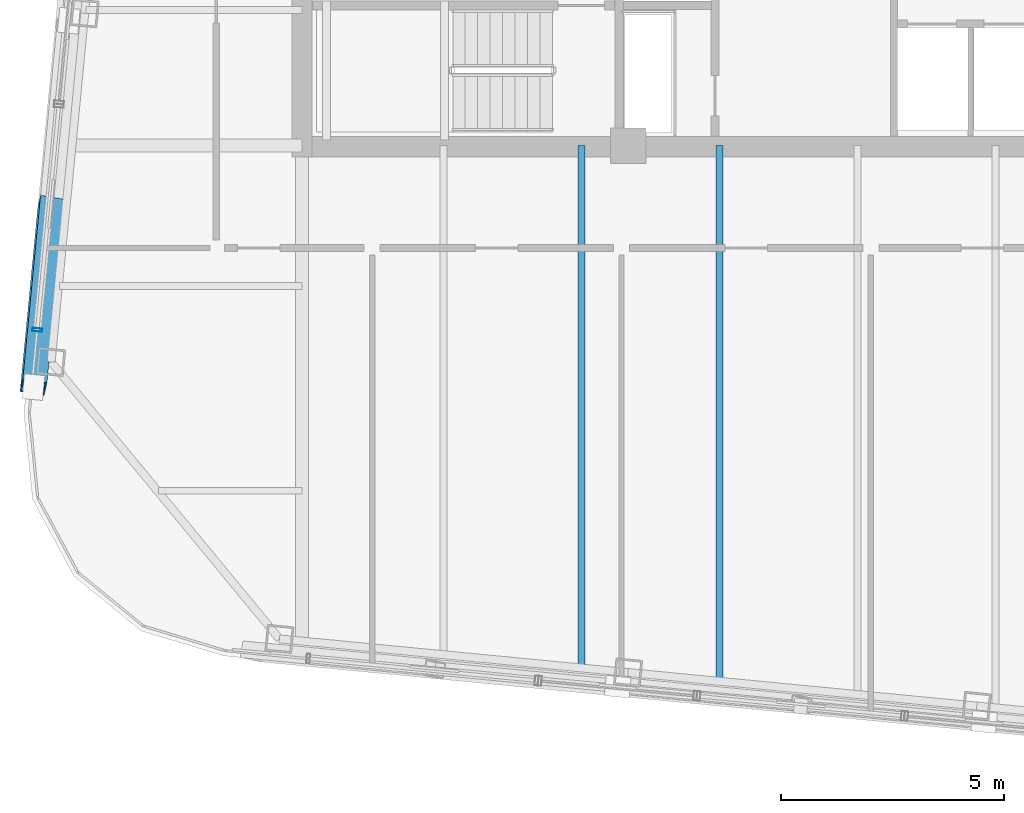
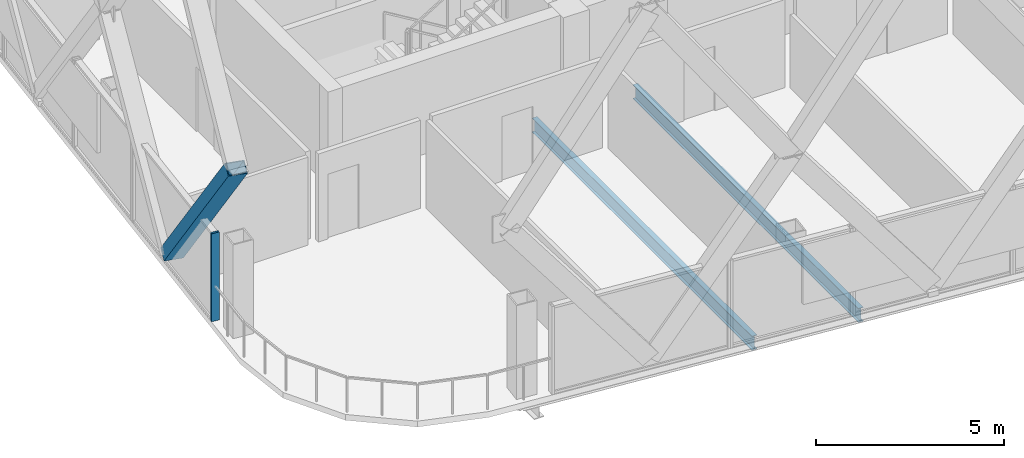
# One storey, part 3 of 25: 2 beams, 2 members, 1 element without a shape of its own.
"""IFC4 building model written with IfcOpenShell, lengths in metres."""

from ifc_helpers import new_model, si_unit, direction, frame, origin, origin_2d, place, context, subcontext, project, spatial, hollow_rectangle, i_section, extrude, material, layer, layer_set, material_profile, profile_set, type_object, element, aggregate, save


model = new_model("IFC4")

# Units and contexts
model_context = context("Model", 3, precision=1e-05, world=origin(), true_north=direction((0.0, 1.0)))
body_context = subcontext(model_context, "Body", "Model", "MODEL_VIEW")
ifc_project = project(units=[si_unit("LENGTHUNIT", "METRE"), si_unit("AREAUNIT", "SQUARE_METRE"), si_unit("VOLUMEUNIT", "CUBIC_METRE"), si_unit("PLANEANGLEUNIT", "RADIAN"), si_unit("MASSUNIT", "GRAM", prefix="KILO")], contexts=[model_context])

# Site, building, storey
site_placement = place(None, origin())
site = spatial("IfcSite", under=ifc_project, at=site_placement, CompositionType="ELEMENT")
building_placement = place(site_placement, origin())
building = spatial("IfcBuilding", under=site, at=building_placement, Name="Qhalaya Broadcast Tower", CompositionType="ELEMENT")
storey_placement = place(building_placement, frame((0.0, 0.0, 255.050048828125)))
storey = spatial("IfcBuildingStorey", under=building, at=storey_placement, Name="L75", CompositionType="ELEMENT", Elevation=255.050048828125)

# Beams
ifc_material_1 = material(Name="Structural Steel ASTM A992 Grade 50", Category="steel")
ifc_material_profile_1 = material_profile(ifc_material_1, i_section(OverallWidth=0.154052734375, OverallDepth=0.458984375, WebThickness=0.009033203125, FlangeThickness=0.015380859375, at=origin_2d()), Name="W18X46")
ifc_profile_set_1 = profile_set([ifc_material_profile_1], Name="Structural Steel ASTM A992 Grade 50")
beam_type = type_object("IfcBeamType", Name="Composite Floor Joist J04", PredefinedType="JOIST", material=ifc_profile_set_1)
beam_1_placement = place(storey_placement, frame((-3.10009765625, -20.46142578125, -0.41943359375), z_axis=(0.0, 1.0, 0.0), x_axis=(-1.0, 0.0, 0.0)))
element("IfcBeam", 1, at=beam_1_placement, inside=storey, type_object=beam_type, Name="L75 J04 L75-JNS2-1", PredefinedType="JOIST", context=body_context, shape_type="SweptSolid", body=[
    extrude(i_section(OverallWidth=0.154052734375, OverallDepth=0.458984375, WebThickness=0.009033203125, FlangeThickness=0.015380859375, at=origin_2d()), origin(), (0.0, 0.0, 1.0), 11.71142578125),
])
beam_2_placement = place(storey_placement, frame((0.0, -20.760009765625, -0.41943359375), z_axis=(0.0, 1.0, 0.0), x_axis=(-1.0, 0.0, 0.0)))
element("IfcBeam", 2, at=beam_2_placement, inside=storey, type_object=beam_type, Name="L75 J04 L75-JNS3-1", PredefinedType="JOIST", context=body_context, shape_type="SweptSolid", body=[
    extrude(i_section(OverallWidth=0.154052734375, OverallDepth=0.458984375, WebThickness=0.009033203125, FlangeThickness=0.015380859375, at=origin_2d()), origin(), (0.0, 0.0, 1.0), 12.010009765625),
])

# Member
ifc_material_2 = material(Name="Structural Steel ASTM A572 Grade 50", Category="steel")
ifc_material_profile_2 = material_profile(ifc_material_2, hollow_rectangle(XDim=0.3798828125, YDim=0.550048828125, WallThickness=0.02490234375, at=origin_2d()), Name="BOX 380x550x25")
ifc_profile_set_2 = profile_set([ifc_material_profile_2], Name="Structural Steel ASTM A572 Grade 50")
member_type_1 = type_object("IfcMemberType", Name="Exoskeleton Diamond Diagonal Upper EX4", PredefinedType="BRACE", material=ifc_profile_set_2)
member_1_placement = place(storey_placement, frame((-15.01025390625, -10.05859375, 0.35986328125), z_axis=(-0.058300658059, -0.60538569949, 0.793794172392), x_axis=(0.171147030491, 0.777313225214, 0.605386524347)))
element("IfcMember", 3, at=member_1_placement, inside=storey, type_object=member_type_1, Name="B6 Exoskeleton Diamond Brace W3-D2", PredefinedType="BRACE", context=body_context, shape_type="SweptSolid", body=[
    extrude(hollow_rectangle(XDim=0.3798828125, YDim=0.550048828125, WallThickness=0.02490234375, at=origin_2d()), origin(), (0.0, 0.0, 1.0), 6.79638671875),
])

# Curtain wall, member
ifc_material_3 = material(Name="Fired Architectural Terracotta", Category="masonry")
ifc_layer = layer(ifc_material_3, 0.219970703125, Name="Fired Architectural Terracotta")
ifc_layer_set = layer_set([ifc_layer], Name="Fired Architectural Terracotta")
curtain_wall_type = type_object("IfcCurtainWallType", Name="Block-Cap Unitised Terracotta Spandrel Wall CW-07", PredefinedType="NOTDEFINED", material=ifc_layer_set)
curtain_wall_placement = place(storey_placement, origin())
curtain_wall = element("IfcCurtainWall", 4, at=curtain_wall_placement, inside=storey, type_object=curtain_wall_type, Name="L75 Unitised Curtain Wall L75-CW-W5", PredefinedType="NOTDEFINED")
ifc_material_4 = material(Name="Anodised Aluminium 6063-T6", Category="aluminium")
ifc_material_profile_3 = material_profile(ifc_material_4, hollow_rectangle(XDim=0.074951171875, YDim=0.219970703125, WallThickness=0.00390625, at=origin_2d()), Name="ALU-MUL 75x220x4")
ifc_profile_set_3 = profile_set([ifc_material_profile_3], Name="Anodised Aluminium 6063-T6")
member_type_2 = type_object("IfcMemberType", Name="Unitised Curtain-Wall Mullion M01", PredefinedType="MULLION", material=ifc_profile_set_3)
member_2_placement = place(storey_placement, frame((-15.32275390625, -12.887451171875, 0.0), z_axis=(0.0, 0.0, 1.0), x_axis=(-0.095847607498, -0.995396019751, 0.0)))
member_2 = element("IfcMember", 5, at=member_2_placement, type_object=member_type_2, Name="CW-07 mullion 2", PredefinedType="MULLION", context=body_context, shape_type="SweptSolid", body=[
    extrude(hollow_rectangle(XDim=0.074951171875, YDim=0.219970703125, WallThickness=0.00390625, at=origin_2d()), origin(), (0.0, 0.0, 1.0), 2.85986328125),
])
aggregate(curtain_wall, [member_2])

save(model, "model.ifc")
